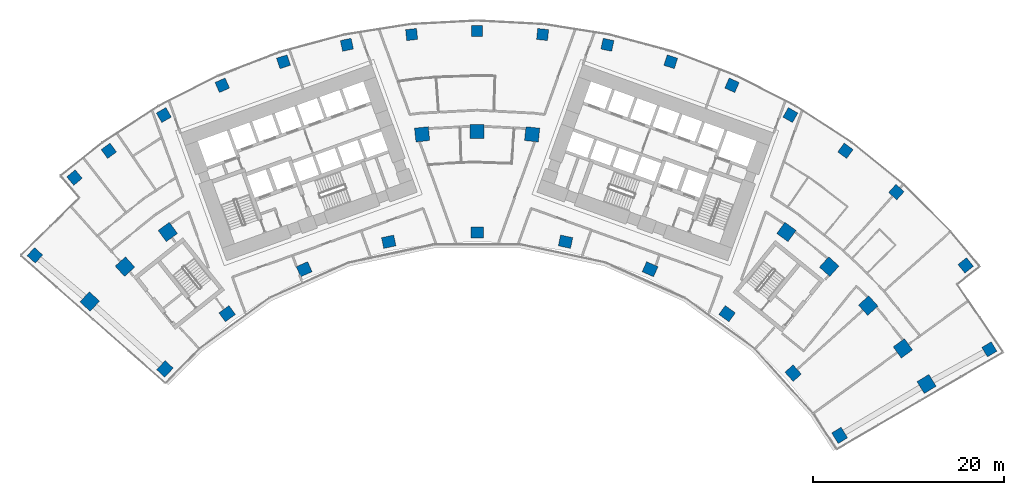
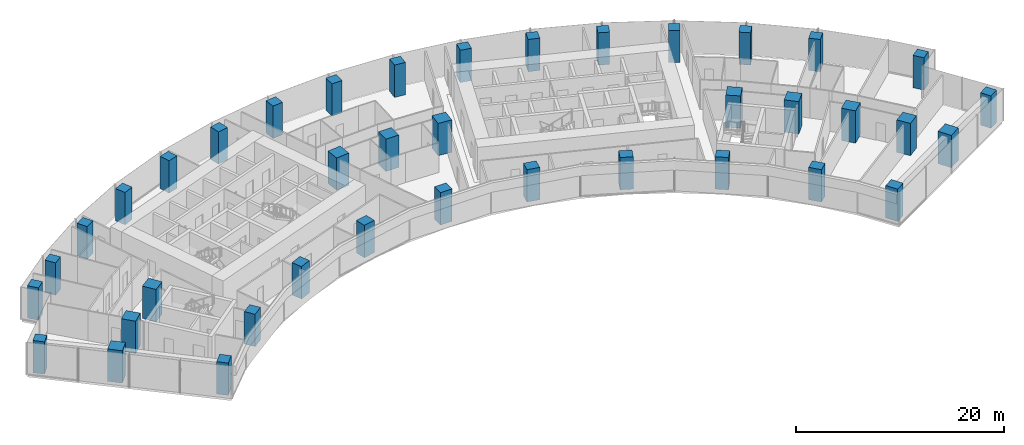
# One storey, part 1 of 21: 39 columns.
"""IFC4 building model written with IfcOpenShell, lengths in metres."""

import ifcopenshell
import ifcopenshell.guid

model = None  # the IFC model being written
_history = None  # IfcOwnerHistory: only IFC2X3 demands one
_inside = {}  # id of a spatial element -> (the spatial element, [elements in it])
_under = {}  # id of a project, library or spatial element -> (it, [spatial elements below it])
_declared = {}  # id of a project -> (the project, [libraries it declares])
_typed = {}  # id of a type object -> (the type object, [elements of that type])
_made_of = {}  # id of a material, layer set ... -> (it, [elements and type objects made of it])


def new_model(schema):
    """Start an empty IFC model of exactly this schema.

    Asked for "IFC4X3", IfcOpenShell would pick the latest addendum, in which some entities
    have other attributes; the version numbers below select the first issue.
    IFC2X3 requires an IfcOwnerHistory on every rooted entity: one is made here for all.
    """
    global model, _history
    if schema == "IFC4X3":
        model = ifcopenshell.file(schema_version=(4, 3, 0, 0))
    else:
        model = ifcopenshell.file(schema=schema)
    _inside.clear()
    _under.clear()
    _declared.clear()
    _typed.clear()
    _made_of.clear()
    _history = None
    if model.schema == "IFC2X3":
        org = make("IfcOrganization", Name="unknown")
        user = make(
            "IfcPersonAndOrganization",
            ThePerson=make("IfcPerson", FamilyName="unknown"),
            TheOrganization=org,
        )
        app = make(
            "IfcApplication",
            ApplicationDeveloper=org,
            Version="unknown",
            ApplicationFullName="unknown",
            ApplicationIdentifier="unknown",
        )
        _history = make(
            "IfcOwnerHistory",
            OwningUser=user,
            OwningApplication=app,
            ChangeAction="ADDED",
            CreationDate=0,
        )
    return model


def make(cls, **values):
    """One entity of the class cls with the attributes given. An attribute that is None is left unset."""
    return model.create_entity(
        cls, **{name: value for name, value in values.items() if value is not None}
    )


def rooted(cls, **values):
    """An entity with a GlobalId (a new one), such as an element, a storey or a relation."""
    return make(cls, GlobalId=ifcopenshell.guid.new(), OwnerHistory=_history, **values)


def si_unit(unit_type, name, prefix=None):
    """IfcSIUnit, for example si_unit("LENGTHUNIT", "METRE", prefix="MILLI")."""
    return make("IfcSIUnit", UnitType=unit_type, Prefix=prefix, Name=name)


def assignment(units):
    """IfcUnitAssignment: the units of a project."""
    return None if units is None else make("IfcUnitAssignment", Units=units)


def point(xyz):
    """IfcCartesianPoint."""
    return None if xyz is None else make("IfcCartesianPoint", Coordinates=xyz)


def direction(xyz):
    """IfcDirection."""
    return None if xyz is None else make("IfcDirection", DirectionRatios=xyz)


def frame(location, z_axis=None, x_axis=None):
    """IfcAxis2Placement3D, a coordinate frame: its origin and axes. An axis left out is left unset."""
    return make(
        "IfcAxis2Placement3D",
        Location=point(location),
        Axis=direction(z_axis),
        RefDirection=direction(x_axis),
    )


def frame_2d(location, x_axis=None):
    """IfcAxis2Placement2D, a coordinate frame in the plane: its origin and x axis."""
    return make(
        "IfcAxis2Placement2D", Location=point(location), RefDirection=direction(x_axis)
    )


def origin():
    """The frame at (0, 0, 0) with its axes left unset."""
    return frame((0.0, 0.0, 0.0))


def origin_2d():
    """The frame at (0, 0) in the plane with its x axis left unset."""
    return frame_2d((0.0, 0.0))


def place(relative_to, where):
    """IfcLocalPlacement: puts the frame where relative to a parent placement (None: the world)."""
    return make(
        "IfcLocalPlacement", PlacementRelTo=relative_to, RelativePlacement=where
    )


def context(
    kind, dimensions, precision=None, world=None, true_north=None, identifier=None
):
    """IfcGeometricRepresentationContext, for example the 3D "Model" context."""
    return make(
        "IfcGeometricRepresentationContext",
        ContextIdentifier=identifier,
        ContextType=kind,
        CoordinateSpaceDimension=dimensions,
        Precision=precision,
        WorldCoordinateSystem=world,
        TrueNorth=true_north,
    )


def subcontext(parent, identifier, kind, view, scale=None):
    """IfcGeometricRepresentationSubContext, for example "Body" below "Model"."""
    return make(
        "IfcGeometricRepresentationSubContext",
        ContextIdentifier=identifier,
        ContextType=kind,
        ParentContext=parent,
        TargetScale=scale,
        TargetView=view,
    )


def project(units=None, contexts=None):
    """IfcProject with its units and contexts."""
    return rooted(
        "IfcProject",
        Name="project",
        RepresentationContexts=contexts,
        UnitsInContext=assignment(units),
    )


def spatial(cls, under=None, at=None, **own):
    """A site, building, storey or space (cls), placed at a placement, below another one or the project."""
    s = rooted(cls, ObjectPlacement=at, **own)
    if under is not None:
        _under.setdefault(under.id(), (under, []))[1].append(s)
    return s


def profile(cls, at=None, kind="AREA", **sizes):
    """A parametric profile (cls). Its sizes go by their IFC names, for example OverallWidth=200.0."""
    return make(cls, ProfileType=kind, Position=at, **sizes)


def rectangle(**sizes):
    """IfcRectangleProfileDef."""
    return profile("IfcRectangleProfileDef", **sizes)


def extrude(swept, where, along, depth):
    """IfcExtrudedAreaSolid: the profile swept, set in the frame where, extruded along a direction by depth."""
    return make(
        "IfcExtrudedAreaSolid",
        SweptArea=swept,
        Position=where,
        ExtrudedDirection=direction(along),
        Depth=depth,
    )


def shape(context_of_items, identifier, shape_type, items):
    """IfcShapeRepresentation: the items that make up one representation, for example the "Body"."""
    return make(
        "IfcShapeRepresentation",
        ContextOfItems=context_of_items,
        RepresentationIdentifier=identifier,
        RepresentationType=shape_type,
        Items=items,
    )


def material(Name=None, Category=None):
    """IfcMaterial."""
    return make("IfcMaterial", Name=Name, Category=Category)


def material_profile(
    of_material, cross_section, Name=None, Category=None, Priority=None
):
    """IfcMaterialProfile: a cross section and its material."""
    return make(
        "IfcMaterialProfile",
        Name=Name,
        Material=of_material,
        Profile=cross_section,
        Priority=Priority,
        Category=Category,
    )


def profile_set(profiles, Name=None, composite=None):
    """IfcMaterialProfileSet."""
    return make(
        "IfcMaterialProfileSet",
        Name=Name,
        MaterialProfiles=profiles,
        CompositeProfile=composite,
    )


def made_of(thing, what):
    """Note that an element or type object is made of a material, layer set ...; save() writes the relation."""
    if what is not None:
        _made_of.setdefault(what.id(), (what, []))[1].append(thing)
    return thing


def type_object(cls, material=None, **own):
    """A type object (cls), such as IfcWallType, which elements share."""
    return made_of(rooted(cls, **own), material)


def element(
    cls,
    number,
    at=None,
    inside=None,
    cuts=None,
    type_object=None,
    material=None,
    context=None,
    identifier="Body",
    shape_type=None,
    held_by="IfcProductDefinitionShape",
    body=None,
    shapes=None,
    **own,
):
    """One element of the class cls, such as IfcWall. Its Tag is "e" and its number.

    at: its placement. inside: the storey or other place that contains it. cuts: it is an
    opening in that element (IfcRelVoidsElement). A single representation is given by context,
    identifier, shape_type and body (its items); several are given by shapes. held_by: the class
    of the entity that holds the representations. save() writes the other relations.
    """
    e = rooted(cls, Tag="e%d" % number, ObjectPlacement=at, **own)
    if body is not None:
        shapes = [shape(context, identifier, shape_type, body)]
    if shapes is not None:
        e.Representation = make(held_by, Representations=shapes)
    if inside is not None:
        _inside.setdefault(inside.id(), (inside, []))[1].append(e)
    if cuts is not None:
        rooted(
            "IfcRelVoidsElement", RelatingBuildingElement=cuts, RelatedOpeningElement=e
        )
    if type_object is not None:
        _typed.setdefault(type_object.id(), (type_object, []))[1].append(e)
    return made_of(e, material)


def aggregate(whole, parts):
    """IfcRelAggregates: a whole, such as a stair, and the parts it consists of."""
    return rooted("IfcRelAggregates", RelatingObject=whole, RelatedObjects=parts)


def save(model, path):
    """Write the relations noted so far, then the file.

    IfcRelAggregates (storeys below a building ...), IfcRelContainedInSpatialStructure (elements
    in a storey), IfcRelDefinesByType, IfcRelAssociatesMaterial and IfcRelDeclares: one each for
    every whole, place, type object, material and project.
    """
    for whole, parts in _under.values():
        aggregate(whole, parts)
    for where, things in _inside.values():
        rooted(
            "IfcRelContainedInSpatialStructure",
            RelatedElements=things,
            RelatingStructure=where,
        )
    for kind, things in _typed.values():
        rooted("IfcRelDefinesByType", RelatedObjects=things, RelatingType=kind)
    for what, things in _made_of.values():
        rooted("IfcRelAssociatesMaterial", RelatedObjects=things, RelatingMaterial=what)
    for by, libraries in _declared.values():
        rooted("IfcRelDeclares", RelatingContext=by, RelatedDefinitions=libraries)
    model.write(path)


model = new_model("IFC4")

# Units and contexts
model_context = context("Model", 3, precision=1e-05, world=origin(), true_north=direction((0.0, 1.0)))
body_context = subcontext(model_context, "Body", "Model", "MODEL_VIEW")
ifc_project = project(units=[si_unit("LENGTHUNIT", "METRE"), si_unit("AREAUNIT", "SQUARE_METRE"), si_unit("VOLUMEUNIT", "CUBIC_METRE"), si_unit("PLANEANGLEUNIT", "RADIAN"), si_unit("MASSUNIT", "GRAM", prefix="KILO")], contexts=[model_context])

# Site, building, storey
site_placement = place(None, origin())
site = spatial("IfcSite", under=ifc_project, at=site_placement, CompositionType="ELEMENT")
building_placement = place(site_placement, origin())
building = spatial("IfcBuilding", under=site, at=building_placement, Name="Stone Belt Terrace Tower", CompositionType="ELEMENT")
storey_placement = place(building_placement, frame((0.0, 0.0, 117.39990234375)))
storey = spatial("IfcBuildingStorey", under=building, at=storey_placement, Name="L28", CompositionType="ELEMENT", Elevation=117.39990234375)

# Columns
ifc_material = material(Name="Concrete B80", Category="concrete")
ifc_material_profile_1 = material_profile(ifc_material, rectangle(XDim=1.14990234375, YDim=1.14990234375, at=origin_2d()), Name="RC 1150x1150")
ifc_profile_set_1 = profile_set([ifc_material_profile_1], Name="Concrete B80")
column_type_1 = type_object("IfcColumnType", Name="Column RC 1150x1150 B80", PredefinedType="COLUMN", material=ifc_profile_set_1)
for number, where, z_axis, x_axis, name in (
    (1, (-46.219970703125, 42.054443359375, 0.0), (0.0, 0.0, 1.0), (0.672991858851, 0.739649888745, 0.0), "Column L28 RA"),
    (2, (53.53662109375, 32.228515625, 0.0), (0.0, 0.0, 1.0), (0.515750011733, -0.856739123303, 0.0), "Column L28 RB"),
    (3, (-42.0830078125, 50.177734375, 0.0), (0.0, 0.0, 1.0), (0.76620260444, 0.642599073256, 0.0), "Column L28 RNA"),
    (4, (-38.493408203125, 52.981689453125, 0.0), (0.0, 0.0, 1.0), (0.809016994375, 0.587785252292, 0.0), "Column L28 R16"),
    (5, (-32.744384765625, 56.715087890625, 0.0), (0.0, 0.0, 1.0), (0.866025403784, 0.5, 0.0), "Column L28 R17"),
    (6, (-26.63671875, 59.8271484375, 0.0), (0.0, 0.0, 1.0), (0.913545457643, 0.406736643076, 0.0), "Column L28 R18"),
    (7, (-20.2373046875, 62.28369140625, 0.0), (0.0, 0.0, 1.0), (0.951056516295, 0.309016994375, 0.0), "Column L28 R19"),
    (8, (-13.615966796875, 64.057861328125, 0.0), (0.0, 0.0, 1.0), (0.978147600734, 0.207911690818, 0.0), "Column L28 R20"),
    (9, (-6.845458984375, 65.130126953125, 0.0), (0.0, 0.0, 1.0), (0.994521895368, 0.104528463268, 0.0), "Column L28 R21"),
    (10, (0.0, 65.489013671875, 0.0), (0.0, 0.0, 1.0), (1.0, 0.0, 0.0), "Column L28 R22"),
    (11, (6.845458984375, 65.130126953125, 0.0), (0.0, 0.0, 1.0), (0.994521895368, -0.104528463268, 0.0), "Column L28 R23"),
    (12, (13.615966796875, 64.057861328125, 0.0), (0.0, 0.0, 1.0), (0.978147600734, -0.207911690818, 0.0), "Column L28 R24"),
    (13, (20.2373046875, 62.28369140625, 0.0), (0.0, 0.0, 1.0), (0.951056516295, -0.309016994375, 0.0), "Column L28 R25"),
    (14, (26.63671875, 59.8271484375, 0.0), (0.0, 0.0, 1.0), (0.913545457643, -0.406736643076, 0.0), "Column L28 R26"),
    (15, (32.744384765625, 56.715087890625, 0.0), (0.0, 0.0, 1.0), (0.866025403784, -0.5, 0.0), "Column L28 R27"),
    (16, (38.493408203125, 52.981689453125, 0.0), (0.0, 0.0, 1.0), (0.809016994375, -0.587785252292, 0.0), "Column L28 R28"),
    (17, (43.820556640625, 48.667724609375, 0.0), (0.0, 0.0, 1.0), (0.743144825477, -0.669130606359, 0.0), "Column L28 R29"),
    (18, (51.064208984375, 41.002685546875, 0.0), (0.0, 0.0, 1.0), (0.626104488961, -0.779739167224, 0.0), "Column L28 RNB"),
):
    element("IfcColumn", number, at=place(storey_placement, frame(where, z_axis=z_axis, x_axis=x_axis)), inside=storey, type_object=column_type_1, Name=name, PredefinedType="COLUMN", context=body_context, shape_type="SweptSolid", body=[
        extrude(rectangle(XDim=1.14990234375, YDim=1.14990234375, at=origin_2d()), origin(), (0.0, 0.0, 1.0), 3.800048828125),
    ])
ifc_material_profile_2 = material_profile(ifc_material, rectangle(XDim=1.300048828125, YDim=1.14990234375, at=origin_2d()), Name="RC 1300x1150")
ifc_profile_set_2 = profile_set([ifc_material_profile_2], Name="Concrete B80")
column_type_2 = type_object("IfcColumnType", Name="Column RC 1300x1150 B80", PredefinedType="COLUMN", material=ifc_profile_set_2)
for number, where, z_axis, x_axis, name in (
    (19, (-32.626708984375, 30.1806640625, 0.0), (0.0, 0.0, 1.0), (0.679054468638, 0.734087888895, 0.0), "Column L28 PA"),
    (20, (-26.1240234375, 35.956787109375, 0.0), (0.0, 0.0, 1.0), (0.809016994375, 0.587785252292, 0.0), "Column L28 P16"),
    (21, (-18.077392578125, 40.6025390625, 0.0), (0.0, 0.0, 1.0), (0.913545457643, 0.406736643076, 0.0), "Column L28 P18"),
    (22, (-9.240478515625, 43.473876953125, 0.0), (0.0, 0.0, 1.0), (0.978147600734, 0.207911690818, 0.0), "Column L28 P20"),
    (23, (0.0, 44.445068359375, 0.0), (0.0, 0.0, 1.0), (1.0, 0.0, 0.0), "Column L28 P22"),
    (24, (9.240478515625, 43.473876953125, 0.0), (0.0, 0.0, 1.0), (0.978147600734, -0.207911690818, 0.0), "Column L28 P24"),
    (25, (18.077392578125, 40.6025390625, 0.0), (0.0, 0.0, 1.0), (0.913545457643, -0.406736643076, 0.0), "Column L28 P26"),
    (26, (26.1240234375, 35.956787109375, 0.0), (0.0, 0.0, 1.0), (0.809016994375, -0.587785252292, 0.0), "Column L28 P28"),
    (27, (33.029052734375, 29.739501953125, 0.0), (0.0, 0.0, 1.0), (0.669130606359, -0.743144825477, 0.0), "Column L28 P30"),
    (28, (37.887939453125, 23.235107421875, 0.0), (0.0, 0.0, 1.0), (0.522781282168, -0.852466850391, 0.0), "Column L28 PB"),
):
    element("IfcColumn", number, at=place(storey_placement, frame(where, z_axis=z_axis, x_axis=x_axis)), inside=storey, type_object=column_type_2, Name=name, PredefinedType="COLUMN", context=body_context, shape_type="SweptSolid", body=[
        extrude(rectangle(XDim=1.300048828125, YDim=1.14990234375, at=origin_2d()), origin(), (0.0, 0.0, 1.0), 3.800048828125),
    ])
ifc_material_profile_3 = material_profile(ifc_material, rectangle(XDim=1.449951171875, YDim=1.449951171875, at=origin_2d()), Name="RC 1450x1450")
ifc_profile_set_3 = profile_set([ifc_material_profile_3], Name="Concrete B80")
column_type_3 = type_object("IfcColumnType", Name="Column RC 1450x1450 B80", PredefinedType="COLUMN", material=ifc_profile_set_3)
for number, where, z_axis, x_axis, name in (
    (29, (-40.48828125, 37.22509765625, 0.0), (0.0, 0.0, 1.0), (0.676819439489, 0.736149065292, 0.0), "Column L28 QA"),
    (30, (-36.80224609375, 40.873046875, 0.0), (0.0, 0.0, 1.0), (0.743144825477, 0.669130606359, 0.0), "Column L28 Q15"),
    (31, (-32.328125, 44.495849609375, 0.0), (0.0, 0.0, 1.0), (0.809016994375, 0.587785252292, 0.0), "Column L28 Q16"),
    (32, (-5.7490234375, 54.69873046875, 0.0), (0.0, 0.0, 1.0), (0.994521895368, 0.104528463268, 0.0), "Column L28 Q21"),
    (33, (0.0, 55.0, 0.0), (0.0, 0.0, 1.0), (1.0, 0.0, 0.0), "Column L28 Q22"),
    (34, (5.7490234375, 54.69873046875, 0.0), (0.0, 0.0, 1.0), (0.994521895368, -0.104528463268, 0.0), "Column L28 Q23"),
    (35, (32.328125, 44.495849609375, 0.0), (0.0, 0.0, 1.0), (0.809016994375, -0.587785252292, 0.0), "Column L28 Q28"),
    (36, (36.80224609375, 40.873046875, 0.0), (0.0, 0.0, 1.0), (0.743144825477, -0.669130606359, 0.0), "Column L28 Q29"),
    (37, (40.873046875, 36.80224609375, 0.0), (0.0, 0.0, 1.0), (0.669130606359, -0.743144825477, 0.0), "Column L28 Q30"),
    (38, (44.495849609375, 32.328125, 0.0), (0.0, 0.0, 1.0), (0.587785252292, -0.809016994375, 0.0), "Column L28 Q31"),
    (39, (46.972900390625, 28.610107421875, 0.0), (0.0, 0.0, 1.0), (0.520185570168, -0.854053260979, 0.0), "Column L28 QB"),
):
    element("IfcColumn", number, at=place(storey_placement, frame(where, z_axis=z_axis, x_axis=x_axis)), inside=storey, type_object=column_type_3, Name=name, PredefinedType="COLUMN", context=body_context, shape_type="SweptSolid", body=[
        extrude(rectangle(XDim=1.449951171875, YDim=1.449951171875, at=origin_2d()), origin(), (0.0, 0.0, 1.0), 3.800048828125),
    ])

save(model, "model.ifc")
